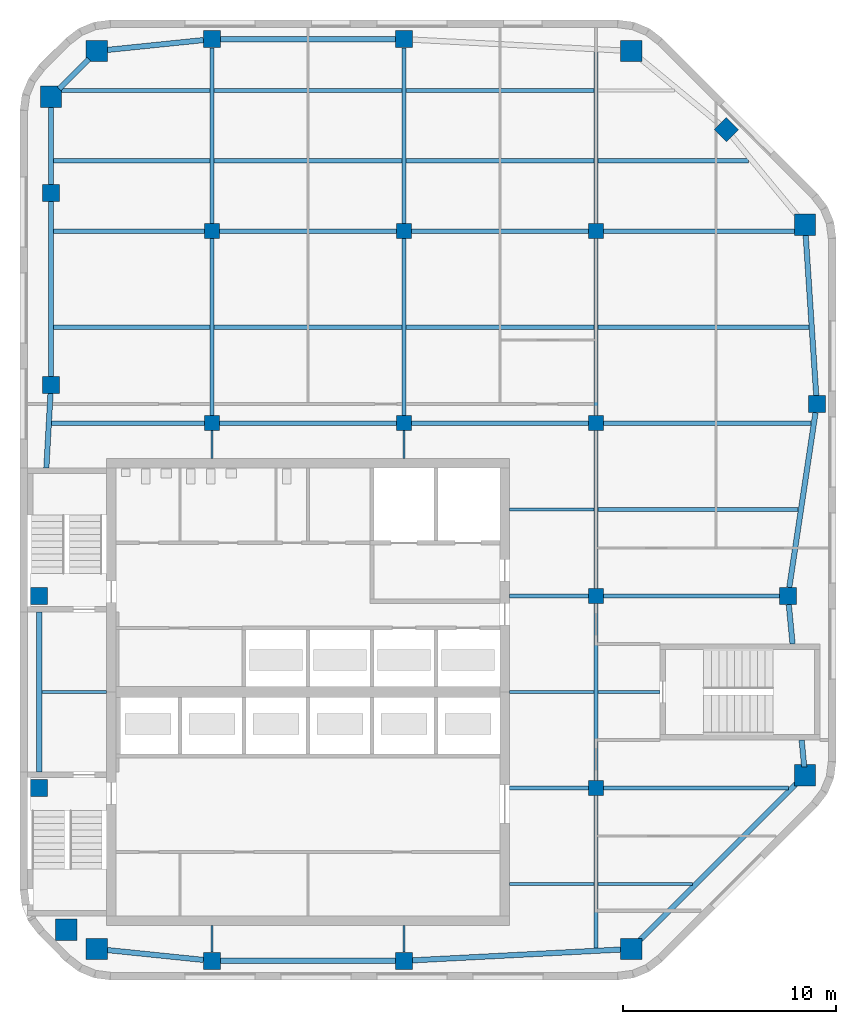
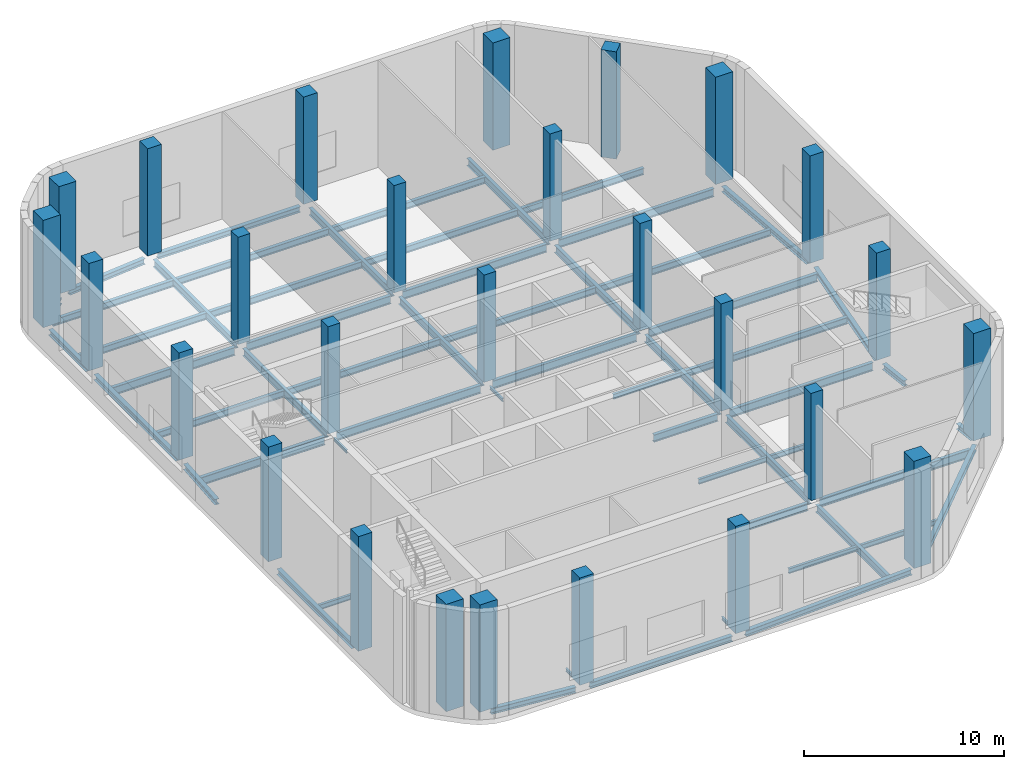
# One storey, part 1 of 8: 58 beams, 27 columns.
"""IFC4 building model written with IfcOpenShell, lengths in metres."""

from ifc_helpers import new_model, si_unit, direction, frame, origin, origin_2d, place, context, subcontext, project, spatial, rectangle, i_section, extrude, material, material_profile, profile_set, type_object, element, save


model = new_model("IFC4")

# Units and contexts
model_context = context("Model", 3, precision=1e-05, world=origin(), true_north=direction((0.0, 1.0)))
body_context = subcontext(model_context, "Body", "Model", "MODEL_VIEW")
ifc_project = project(units=[si_unit("LENGTHUNIT", "METRE"), si_unit("AREAUNIT", "SQUARE_METRE"), si_unit("VOLUMEUNIT", "CUBIC_METRE"), si_unit("PLANEANGLEUNIT", "RADIAN"), si_unit("MASSUNIT", "GRAM", prefix="KILO")], contexts=[model_context])

# Site, building, storey
site_placement = place(None, origin())
site = spatial("IfcSite", under=ifc_project, at=site_placement, CompositionType="ELEMENT")
building_placement = place(site_placement, origin())
building = spatial("IfcBuilding", under=site, at=building_placement, Name="Cinnabar Reach Civic Tower", CompositionType="ELEMENT")
storey_placement = place(building_placement, frame((0.0, 0.0, 291.0)))
storey = spatial("IfcBuildingStorey", under=building, at=storey_placement, Name="L69", CompositionType="ELEMENT", Elevation=291.0)

# Columns
ifc_material_1 = material(Name="Concrete C70", Category="concrete")
ifc_material_profile_1 = material_profile(ifc_material_1, rectangle(XDim=1.0, YDim=1.0, at=origin_2d()), Name="RC1000")
ifc_profile_set_1 = profile_set([ifc_material_profile_1], Name="Concrete C70")
column_type_1 = type_object("IfcColumnType", Name="RC1000 column R 240", PredefinedType="COLUMN", material=ifc_profile_set_1)
for number, where, z_axis, x_axis, name in (
    (1, (3.6019, 19.4531, 0.0), (0.0, 0.0, 1.0), (1.0, 0.0, 0.0), "Column T1-Z5-CC0"),
    (2, (28.6481, 19.4531, 0.0), (0.0, 0.0, 1.0), (1.0, 0.0, 0.0), "Column T1-Z5-CC1"),
    (3, (36.7969, 27.6019, 0.0), (0.0, 0.0, 1.0), (1.0, 0.0, 0.0), "Column T1-Z5-CC2"),
    (4, (36.7969, 53.3981, 0.0), (0.0, 0.0, 1.0), (1.0, 0.0, 0.0), "Column T1-Z5-CC3"),
    (5, (28.6481, 61.5469, 0.0), (0.0, 0.0, 1.0), (1.0, 0.0, 0.0), "Column T1-Z5-CC4"),
    (6, (3.6019, 61.5469, 0.0), (0.0, 0.0, 1.0), (1.0, 0.0, 0.0), "Column T1-Z5-CC5"),
    (7, (1.4531, 59.3981, 0.0), (0.0, 0.0, 1.0), (1.0, 0.0, 0.0), "Column T1-Z5-CC6"),
    (8, (2.1631, 20.35, 0.0), (0.0, 0.0, 1.0), (1.0, 0.0, 0.0), "Column T1-Z5-CC7"),
):
    element("IfcColumn", number, at=place(storey_placement, frame(where, z_axis=z_axis, x_axis=x_axis)), inside=storey, type_object=column_type_1, Name=name, PredefinedType="COLUMN", context=body_context, shape_type="SweptSolid", body=[
        extrude(rectangle(XDim=1.0, YDim=1.0, at=origin_2d()), origin(), (0.0, 0.0, 1.0), 6.55),
    ])
ifc_material_2 = material(Name="Concrete C60", Category="concrete")
ifc_material_profile_2 = material_profile(ifc_material_2, rectangle(XDim=0.7, YDim=0.7, at=origin_2d()), Name="RC700")
ifc_profile_set_2 = profile_set([ifc_material_profile_2], Name="Concrete C60")
column_type_2 = type_object("IfcColumnType", Name="RC700 column R 240", PredefinedType="COLUMN", material=ifc_profile_set_2)
for number, where, z_axis, x_axis, name in (
    (9, (9.0, 44.1, 0.0), (0.0, 0.0, 1.0), (1.0, 0.0, 0.0), "Column T1-Z5-I9_45"),
    (10, (9.0, 53.1, 0.0), (0.0, 0.0, 1.0), (1.0, 0.0, 0.0), "Column T1-Z5-I9_54"),
    (11, (18.0, 44.1, 0.0), (0.0, 0.0, 1.0), (1.0, 0.0, 0.0), "Column T1-Z5-I18_45"),
    (12, (18.0, 53.1, 0.0), (0.0, 0.0, 1.0), (1.0, 0.0, 0.0), "Column T1-Z5-I18_54"),
    (13, (27.0, 27.0, 0.0), (0.0, 0.0, 1.0), (1.0, 0.0, 0.0), "Column T1-Z5-I27_27"),
    (14, (27.0, 36.0, 0.0), (0.0, 0.0, 1.0), (1.0, 0.0, 0.0), "Column T1-Z5-I27_36"),
    (15, (27.0, 44.1, 0.0), (0.0, 0.0, 1.0), (1.0, 0.0, 0.0), "Column T1-Z5-I27_45"),
    (16, (27.0, 53.1, 0.0), (0.0, 0.0, 1.0), (1.0, 0.0, 0.0), "Column T1-Z5-I27_54"),
):
    element("IfcColumn", number, at=place(storey_placement, frame(where, z_axis=z_axis, x_axis=x_axis)), inside=storey, type_object=column_type_2, Name=name, PredefinedType="COLUMN", context=body_context, shape_type="SweptSolid", body=[
        extrude(rectangle(XDim=0.7, YDim=0.7, at=origin_2d()), origin(), (0.0, 0.0, 1.0), 6.55),
    ])
ifc_material_profile_3 = material_profile(ifc_material_2, rectangle(XDim=0.8, YDim=0.8, at=origin_2d()), Name="RC800")
ifc_profile_set_3 = profile_set([ifc_material_profile_3], Name="Concrete C60")
column_type_3 = type_object("IfcColumnType", Name="RC800 column R 240", PredefinedType="COLUMN", material=ifc_profile_set_3)
for number, where, z_axis, x_axis, name in (
    (17, (9.0, 18.9, 0.0), (0.0, 0.0, 1.0), (1.0, 0.0, 0.0), "Column T1-Z5-F0-1"),
    (18, (18.0, 18.9, 0.0), (0.0, 0.0, 1.0), (1.0, 0.0, 0.0), "Column T1-Z5-F0-2"),
    (19, (36.0, 36.0, 0.0), (0.0, 0.0, 1.0), (1.0, 0.0, 0.0), "Column T1-Z5-F2-4"),
    (20, (37.35, 45.0, 0.0), (0.0, 0.0, 1.0), (1.0, 0.0, 0.0), "Column T1-Z5-F2-5"),
    (21, (33.1136, 57.8636, 0.0), (0.0, 0.0, 1.0), (0.707106781187, 0.707106781187, 0.0), "Column T1-Z5-F3-M"),
    (22, (9.0, 62.1, 0.0), (0.0, 0.0, 1.0), (1.0, 0.0, 0.0), "Column T1-Z5-F4-1"),
    (23, (18.0, 62.1, 0.0), (0.0, 0.0, 1.0), (1.0, 0.0, 0.0), "Column T1-Z5-F4-2"),
):
    element("IfcColumn", number, at=place(storey_placement, frame(where, z_axis=z_axis, x_axis=x_axis)), inside=storey, type_object=column_type_3, Name=name, PredefinedType="COLUMN", context=body_context, shape_type="SweptSolid", body=[
        extrude(rectangle(XDim=0.8, YDim=0.8, at=origin_2d()), origin(), (0.0, 0.0, 1.0), 6.55),
    ])
for number, where, z_axis, x_axis, name in (
    (24, (0.9, 27.0, 0.0), (0.0, 0.0, 1.0), (1.0, 0.0, 0.0), "Column T1-Z5-F6-3"),
    (25, (0.9, 36.0, 0.0), (0.0, 0.0, 1.0), (1.0, 0.0, 0.0), "Column T1-Z5-F6-4"),
):
    element("IfcColumn", number, at=place(storey_placement, frame(where, z_axis=z_axis, x_axis=x_axis)), inside=storey, type_object=column_type_3, Name=name, PredefinedType="COLUMN", context=body_context, shape_type="SweptSolid", body=[
        extrude(rectangle(XDim=0.8, YDim=0.8, at=origin_2d()), origin(), (0.0, 0.0, 1.0), 7.0),
    ])
for number, where, z_axis, x_axis, name in (
    (26, (1.4531, 45.8981, 0.0), (0.0, 0.0, 1.0), (1.0, 0.0, 0.0), "Column T1-Z5-F6-5"),
    (27, (1.4531, 54.8981, 0.0), (0.0, 0.0, 1.0), (1.0, 0.0, 0.0), "Column T1-Z5-F6-6"),
):
    element("IfcColumn", number, at=place(storey_placement, frame(where, z_axis=z_axis, x_axis=x_axis)), inside=storey, type_object=column_type_3, Name=name, PredefinedType="COLUMN", context=body_context, shape_type="SweptSolid", body=[
        extrude(rectangle(XDim=0.8, YDim=0.8, at=origin_2d()), origin(), (0.0, 0.0, 1.0), 6.55),
    ])

# Beams
ifc_material_3 = material(Name="Steel Q355B", Category="steel")
ifc_material_profile_4 = material_profile(ifc_material_3, i_section(OverallWidth=0.25, OverallDepth=0.34, WebThickness=0.009, FlangeThickness=0.014, FilletRadius=0.013, at=origin_2d()), Name="HM340x250x9x14")
ifc_profile_set_4 = profile_set([ifc_material_profile_4], Name="Steel Q355B")
beam_type_1 = type_object("IfcBeamType", Name="HM340x250x9x14 beam R 180", PredefinedType="BEAM", material=ifc_profile_set_4)
beam_1_placement = place(storey_placement, frame((3.9839, 19.414, -0.47), z_axis=(0.994791084875, -0.101934770579, 0.0), x_axis=(0.101934770579, 0.994791084875, 0.0)))
element("IfcBeam", 28, at=beam_1_placement, inside=storey, type_object=beam_type_1, Name="Edge beam T1 L69 1", PredefinedType="BEAM", context=body_context, shape_type="SweptSolid", body=[
    extrude(i_section(OverallWidth=0.25, OverallDepth=0.34, WebThickness=0.009, FlangeThickness=0.014, FilletRadius=0.013, at=origin_2d()), origin(), (0.0, 0.0, 1.0), 4.6383),
])
beam_2_placement = place(storey_placement, frame((9.402, 18.9, -0.47), z_axis=(1.0, 0.0, 0.0), x_axis=(0.0, 1.0, 0.0)))
element("IfcBeam", 29, at=beam_2_placement, inside=storey, type_object=beam_type_1, Name="Edge beam T1 L69 2", PredefinedType="BEAM", context=body_context, shape_type="SweptSolid", body=[
    extrude(i_section(OverallWidth=0.25, OverallDepth=0.34, WebThickness=0.009, FlangeThickness=0.014, FilletRadius=0.013, at=origin_2d()), origin(), (0.0, 0.0, 1.0), 8.196),
])
beam_3_placement = place(storey_placement, frame((18.402, 18.9209, -0.47), z_axis=(0.998653533726, 0.051876001934, 0.0), x_axis=(-0.051876001934, 0.998653533726, 0.0)))
element("IfcBeam", 30, at=beam_3_placement, inside=storey, type_object=beam_type_1, Name="Edge beam T1 L69 3", PredefinedType="BEAM", context=body_context, shape_type="SweptSolid", body=[
    extrude(i_section(OverallWidth=0.25, OverallDepth=0.34, WebThickness=0.009, FlangeThickness=0.014, FilletRadius=0.013, at=origin_2d()), origin(), (0.0, 0.0, 1.0), 9.8774),
])
beam_4_placement = place(storey_placement, frame((29.0301, 19.8351, -0.47), z_axis=(0.707106781187, 0.707106781187, 0.0), x_axis=(-0.707106781187, 0.707106781187, 0.0)))
element("IfcBeam", 31, at=beam_4_placement, inside=storey, type_object=beam_type_1, Name="Edge beam T1 L69 4", PredefinedType="BEAM", context=body_context, shape_type="SweptSolid", body=[
    extrude(i_section(OverallWidth=0.25, OverallDepth=0.34, WebThickness=0.009, FlangeThickness=0.014, FilletRadius=0.013, at=origin_2d()), origin(), (0.0, 0.0, 1.0), 10.4437),
])
beam_5_placement = place(storey_placement, frame((36.7607, 27.9839, -0.47), z_axis=(-0.094504338241, 0.995524449752, 0.0), x_axis=(-0.995524449752, -0.094504338241, 0.0)))
element("IfcBeam", 32, at=beam_5_placement, inside=storey, type_object=beam_type_1, Name="Edge beam T1 L69 5", PredefinedType="BEAM", context=body_context, shape_type="SweptSolid", body=[
    extrude(i_section(OverallWidth=0.25, OverallDepth=0.34, WebThickness=0.009, FlangeThickness=0.014, FilletRadius=0.013, at=origin_2d()), origin(), (0.0, 0.0, 1.0), 1.2698),
])
beam_6_placement = place(storey_placement, frame((36.2133, 33.752, -0.47), z_axis=(-0.094483333102, 0.995526443529, 0.0), x_axis=(-0.995526443529, -0.094483333102, 0.0)))
element("IfcBeam", 33, at=beam_6_placement, inside=storey, type_object=beam_type_1, Name="Edge beam T1 L69 6", PredefinedType="BEAM", context=body_context, shape_type="SweptSolid", body=[
    extrude(i_section(OverallWidth=0.25, OverallDepth=0.34, WebThickness=0.009, FlangeThickness=0.014, FilletRadius=0.013, at=origin_2d()), origin(), (0.0, 0.0, 1.0), 1.8543),
])
beam_7_placement = place(storey_placement, frame((36.0603, 36.402, -0.47), z_axis=(0.14834045293, 0.988936352868, 0.0), x_axis=(-0.988936352868, 0.14834045293, 0.0)))
element("IfcBeam", 34, at=beam_7_placement, inside=storey, type_object=beam_type_1, Name="Edge beam T1 L69 7", PredefinedType="BEAM", context=body_context, shape_type="SweptSolid", body=[
    extrude(i_section(OverallWidth=0.25, OverallDepth=0.34, WebThickness=0.009, FlangeThickness=0.014, FilletRadius=0.013, at=origin_2d()), origin(), (0.0, 0.0, 1.0), 8.2877),
])
beam_8_placement = place(storey_placement, frame((37.3235, 45.402, -0.47), z_axis=(-0.065709195057, 0.997838815483, 0.0), x_axis=(-0.997838815483, -0.065709195057, 0.0)))
element("IfcBeam", 35, at=beam_8_placement, inside=storey, type_object=beam_type_1, Name="Edge beam T1 L69 8", PredefinedType="BEAM", context=body_context, shape_type="SweptSolid", body=[
    extrude(i_section(OverallWidth=0.25, OverallDepth=0.34, WebThickness=0.009, FlangeThickness=0.014, FilletRadius=0.013, at=origin_2d()), origin(), (0.0, 0.0, 1.0), 7.6306),
])
beam_9_placement = place(storey_placement, frame((17.598, 62.1, -0.47), z_axis=(-1.0, 0.0, 0.0), x_axis=(0.0, -1.0, 0.0)))
element("IfcBeam", 36, at=beam_9_placement, inside=storey, type_object=beam_type_1, Name="Edge beam T1 L69 12", PredefinedType="BEAM", context=body_context, shape_type="SweptSolid", body=[
    extrude(i_section(OverallWidth=0.25, OverallDepth=0.34, WebThickness=0.009, FlangeThickness=0.014, FilletRadius=0.013, at=origin_2d()), origin(), (0.0, 0.0, 1.0), 8.196),
])
beam_10_placement = place(storey_placement, frame((8.598, 62.0588, -0.47), z_axis=(-0.994791084875, -0.101934770579, 0.0), x_axis=(0.101934770579, -0.994791084875, 0.0)))
element("IfcBeam", 37, at=beam_10_placement, inside=storey, type_object=beam_type_1, Name="Edge beam T1 L69 13", PredefinedType="BEAM", context=body_context, shape_type="SweptSolid", body=[
    extrude(i_section(OverallWidth=0.25, OverallDepth=0.34, WebThickness=0.009, FlangeThickness=0.014, FilletRadius=0.013, at=origin_2d()), origin(), (0.0, 0.0, 1.0), 4.6383),
])
beam_11_placement = place(storey_placement, frame((3.2199, 61.1649, -0.47), z_axis=(-0.707106781187, -0.707106781187, 0.0), x_axis=(0.707106781187, -0.707106781187, 0.0)))
element("IfcBeam", 38, at=beam_11_placement, inside=storey, type_object=beam_type_1, Name="Edge beam T1 L69 14", PredefinedType="BEAM", context=body_context, shape_type="SweptSolid", body=[
    extrude(i_section(OverallWidth=0.25, OverallDepth=0.34, WebThickness=0.009, FlangeThickness=0.014, FilletRadius=0.013, at=origin_2d()), origin(), (0.0, 0.0, 1.0), 1.9584),
])
beam_12_placement = place(storey_placement, frame((1.4531, 59.0161, -0.47), z_axis=(0.0, -1.0, 0.0), x_axis=(1.0, 0.0, 0.0)))
element("IfcBeam", 39, at=beam_12_placement, inside=storey, type_object=beam_type_1, Name="Edge beam T1 L69 15", PredefinedType="BEAM", context=body_context, shape_type="SweptSolid", body=[
    extrude(i_section(OverallWidth=0.25, OverallDepth=0.34, WebThickness=0.009, FlangeThickness=0.014, FilletRadius=0.013, at=origin_2d()), origin(), (0.0, 0.0, 1.0), 3.716),
])
beam_13_placement = place(storey_placement, frame((1.4531, 54.4961, -0.47), z_axis=(0.0, -1.0, 0.0), x_axis=(1.0, 0.0, 0.0)))
element("IfcBeam", 40, at=beam_13_placement, inside=storey, type_object=beam_type_1, Name="Edge beam T1 L69 16", PredefinedType="BEAM", context=body_context, shape_type="SweptSolid", body=[
    extrude(i_section(OverallWidth=0.25, OverallDepth=0.34, WebThickness=0.009, FlangeThickness=0.014, FilletRadius=0.013, at=origin_2d()), origin(), (0.0, 0.0, 1.0), 8.196),
])
beam_14_placement = place(storey_placement, frame((1.4306, 45.4961, -0.47), z_axis=(-0.055778628236, -0.998443160441, 0.0), x_axis=(0.998443160441, -0.055778628236, 0.0)))
element("IfcBeam", 41, at=beam_14_placement, inside=storey, type_object=beam_type_1, Name="Edge beam T1 L69 17", PredefinedType="BEAM", context=body_context, shape_type="SweptSolid", body=[
    extrude(i_section(OverallWidth=0.25, OverallDepth=0.34, WebThickness=0.009, FlangeThickness=0.014, FilletRadius=0.013, at=origin_2d()), origin(), (0.0, 0.0, 1.0), 3.4995),
])
beam_15_placement = place(storey_placement, frame((0.9, 35.248, -0.47), z_axis=(0.0, -1.0, 0.0), x_axis=(1.0, 0.0, 0.0)))
element("IfcBeam", 42, at=beam_15_placement, inside=storey, type_object=beam_type_1, Name="Edge beam T1 L69 18", PredefinedType="BEAM", context=body_context, shape_type="SweptSolid", body=[
    extrude(i_section(OverallWidth=0.25, OverallDepth=0.34, WebThickness=0.009, FlangeThickness=0.014, FilletRadius=0.013, at=origin_2d()), origin(), (0.0, 0.0, 1.0), 7.496),
])
ifc_material_profile_5 = material_profile(ifc_material_3, i_section(OverallWidth=0.099, OverallDepth=0.198, WebThickness=0.0045, FlangeThickness=0.007, FilletRadius=0.013, at=origin_2d()), Name="HN200x100x5.5x8")
ifc_profile_set_5 = profile_set([ifc_material_profile_5], Name="Steel Q355B")
beam_type_2 = type_object("IfcBeamType", Name="HN200x100x5.5x8 beam R 180", PredefinedType="BEAM", material=ifc_profile_set_5)
beam_16_placement = place(storey_placement, frame((9.0, 19.302, -0.399), z_axis=(0.0, 1.0, 0.0), x_axis=(-1.0, 0.0, 0.0)))
element("IfcBeam", 43, at=beam_16_placement, inside=storey, type_object=beam_type_2, Name="Girder T1 L69 1", PredefinedType="BEAM", context=body_context, shape_type="SweptSolid", body=[
    extrude(i_section(OverallWidth=0.099, OverallDepth=0.198, WebThickness=0.0045, FlangeThickness=0.007, FilletRadius=0.013, at=origin_2d()), origin(), (0.0, 0.0, 1.0), 1.246),
])
beam_17_placement = place(storey_placement, frame((9.0, 42.452, -0.399), z_axis=(0.0, 1.0, 0.0), x_axis=(-1.0, 0.0, 0.0)))
element("IfcBeam", 44, at=beam_17_placement, inside=storey, type_object=beam_type_2, Name="Girder T1 L69 2", PredefinedType="BEAM", context=body_context, shape_type="SweptSolid", body=[
    extrude(i_section(OverallWidth=0.099, OverallDepth=0.198, WebThickness=0.0045, FlangeThickness=0.007, FilletRadius=0.013, at=origin_2d()), origin(), (0.0, 0.0, 1.0), 1.296),
])
beam_18_placement = place(storey_placement, frame((18.0, 19.302, -0.399), z_axis=(0.0, 1.0, 0.0), x_axis=(-1.0, 0.0, 0.0)))
element("IfcBeam", 45, at=beam_18_placement, inside=storey, type_object=beam_type_2, Name="Girder T1 L69 5", PredefinedType="BEAM", context=body_context, shape_type="SweptSolid", body=[
    extrude(i_section(OverallWidth=0.099, OverallDepth=0.198, WebThickness=0.0045, FlangeThickness=0.007, FilletRadius=0.013, at=origin_2d()), origin(), (0.0, 0.0, 1.0), 1.246),
])
beam_19_placement = place(storey_placement, frame((18.0, 42.452, -0.399), z_axis=(0.0, 1.0, 0.0), x_axis=(-1.0, 0.0, 0.0)))
element("IfcBeam", 46, at=beam_19_placement, inside=storey, type_object=beam_type_2, Name="Girder T1 L69 6", PredefinedType="BEAM", context=body_context, shape_type="SweptSolid", body=[
    extrude(i_section(OverallWidth=0.099, OverallDepth=0.198, WebThickness=0.0045, FlangeThickness=0.007, FilletRadius=0.013, at=origin_2d()), origin(), (0.0, 0.0, 1.0), 1.296),
])
ifc_material_profile_6 = material_profile(ifc_material_3, i_section(OverallWidth=0.15, OverallDepth=0.3, WebThickness=0.0065, FlangeThickness=0.009, FilletRadius=0.013, at=origin_2d()), Name="HN300x150x6.5x9")
ifc_profile_set_6 = profile_set([ifc_material_profile_6], Name="Steel Q355B")
beam_type_3 = type_object("IfcBeamType", Name="HN300x150x6.5x9 beam R 180", PredefinedType="BEAM", material=ifc_profile_set_6)
beam_20_placement = place(storey_placement, frame((22.952, 22.5, -0.45), z_axis=(1.0, 0.0, 0.0), x_axis=(0.0, 1.0, 0.0)))
element("IfcBeam", 47, at=beam_20_placement, inside=storey, type_object=beam_type_3, Name="Secondary beam T1 L69 1", PredefinedType="BEAM", context=body_context, shape_type="SweptSolid", body=[
    extrude(i_section(OverallWidth=0.15, OverallDepth=0.3, WebThickness=0.0065, FlangeThickness=0.009, FilletRadius=0.013, at=origin_2d()), origin(), (0.0, 0.0, 1.0), 3.946),
])
beam_21_placement = place(storey_placement, frame((27.102, 22.5, -0.45), z_axis=(1.0, 0.0, 0.0), x_axis=(0.0, 1.0, 0.0)))
element("IfcBeam", 48, at=beam_21_placement, inside=storey, type_object=beam_type_3, Name="Secondary beam T1 L69 2", PredefinedType="BEAM", context=body_context, shape_type="SweptSolid", body=[
    extrude(i_section(OverallWidth=0.15, OverallDepth=0.3, WebThickness=0.0065, FlangeThickness=0.009, FilletRadius=0.013, at=origin_2d()), origin(), (0.0, 0.0, 1.0), 4.4134),
])
beam_22_placement = place(storey_placement, frame((1.027, 31.5, -0.45), z_axis=(1.0, 0.0, 0.0), x_axis=(0.0, 1.0, 0.0)))
element("IfcBeam", 49, at=beam_22_placement, inside=storey, type_object=beam_type_3, Name="Secondary beam T1 L69 3", PredefinedType="BEAM", context=body_context, shape_type="SweptSolid", body=[
    extrude(i_section(OverallWidth=0.15, OverallDepth=0.3, WebThickness=0.0065, FlangeThickness=0.009, FilletRadius=0.013, at=origin_2d()), origin(), (0.0, 0.0, 1.0), 3.021),
])
beam_23_placement = place(storey_placement, frame((22.952, 31.5, -0.45), z_axis=(1.0, 0.0, 0.0), x_axis=(0.0, 1.0, 0.0)))
element("IfcBeam", 50, at=beam_23_placement, inside=storey, type_object=beam_type_3, Name="Secondary beam T1 L69 4", PredefinedType="BEAM", context=body_context, shape_type="SweptSolid", body=[
    extrude(i_section(OverallWidth=0.15, OverallDepth=0.3, WebThickness=0.0065, FlangeThickness=0.009, FilletRadius=0.013, at=origin_2d()), origin(), (0.0, 0.0, 1.0), 3.946),
])
beam_24_placement = place(storey_placement, frame((27.102, 31.5, -0.45), z_axis=(1.0, 0.0, 0.0), x_axis=(0.0, 1.0, 0.0)))
element("IfcBeam", 51, at=beam_24_placement, inside=storey, type_object=beam_type_3, Name="Secondary beam T1 L69 5", PredefinedType="BEAM", context=body_context, shape_type="SweptSolid", body=[
    extrude(i_section(OverallWidth=0.15, OverallDepth=0.3, WebThickness=0.0065, FlangeThickness=0.009, FilletRadius=0.013, at=origin_2d()), origin(), (0.0, 0.0, 1.0), 2.896),
])
beam_25_placement = place(storey_placement, frame((22.952, 40.05, -0.45), z_axis=(1.0, 0.0, 0.0), x_axis=(0.0, 1.0, 0.0)))
element("IfcBeam", 52, at=beam_25_placement, inside=storey, type_object=beam_type_3, Name="Secondary beam T1 L69 6", PredefinedType="BEAM", context=body_context, shape_type="SweptSolid", body=[
    extrude(i_section(OverallWidth=0.15, OverallDepth=0.3, WebThickness=0.0065, FlangeThickness=0.009, FilletRadius=0.013, at=origin_2d()), origin(), (0.0, 0.0, 1.0), 3.946),
])
ifc_material_profile_7 = material_profile(ifc_material_3, i_section(OverallWidth=0.2, OverallDepth=0.4, WebThickness=0.008, FlangeThickness=0.013, FilletRadius=0.016, at=origin_2d()), Name="HN400x200x8x13")
ifc_profile_set_7 = profile_set([ifc_material_profile_7], Name="Steel Q355B")
beam_type_4 = type_object("IfcBeamType", Name="HN400x200x8x13 beam R 180", PredefinedType="BEAM", material=ifc_profile_set_7)
beam_26_placement = place(storey_placement, frame((27.102, 40.05, -0.5), z_axis=(1.0, 0.0, 0.0), x_axis=(0.0, 1.0, 0.0)))
element("IfcBeam", 53, at=beam_26_placement, inside=storey, type_object=beam_type_4, Name="Secondary beam T1 L69 7", PredefinedType="BEAM", context=body_context, shape_type="SweptSolid", body=[
    extrude(i_section(OverallWidth=0.2, OverallDepth=0.4, WebThickness=0.008, FlangeThickness=0.013, FilletRadius=0.016, at=origin_2d()), origin(), (0.0, 0.0, 1.0), 9.3771),
])
beam_27_placement = place(storey_placement, frame((1.5801, 48.6, -0.5), z_axis=(1.0, 0.0, 0.0), x_axis=(0.0, 1.0, 0.0)))
element("IfcBeam", 54, at=beam_27_placement, inside=storey, type_object=beam_type_4, Name="Secondary beam T1 L69 8", PredefinedType="BEAM", context=body_context, shape_type="SweptSolid", body=[
    extrude(i_section(OverallWidth=0.2, OverallDepth=0.4, WebThickness=0.008, FlangeThickness=0.013, FilletRadius=0.016, at=origin_2d()), origin(), (0.0, 0.0, 1.0), 7.3179),
])
for number, where, z_axis, x_axis, name in (
    (55, (9.102, 48.6, -0.5), (1.0, 0.0, 0.0), (0.0, 1.0, 0.0), "Secondary beam T1 L69 9"),
    (56, (18.102, 48.6, -0.5), (1.0, 0.0, 0.0), (0.0, 1.0, 0.0), "Secondary beam T1 L69 10"),
):
    element("IfcBeam", number, at=place(storey_placement, frame(where, z_axis=z_axis, x_axis=x_axis)), inside=storey, type_object=beam_type_4, Name=name, PredefinedType="BEAM", context=body_context, shape_type="SweptSolid", body=[
        extrude(i_section(OverallWidth=0.2, OverallDepth=0.4, WebThickness=0.008, FlangeThickness=0.013, FilletRadius=0.016, at=origin_2d()), origin(), (0.0, 0.0, 1.0), 8.796),
    ])
beam_28_placement = place(storey_placement, frame((27.102, 48.6, -0.5), z_axis=(1.0, 0.0, 0.0), x_axis=(0.0, 1.0, 0.0)))
element("IfcBeam", 57, at=beam_28_placement, inside=storey, type_object=beam_type_4, Name="Secondary beam T1 L69 11", PredefinedType="BEAM", context=body_context, shape_type="SweptSolid", body=[
    extrude(i_section(OverallWidth=0.2, OverallDepth=0.4, WebThickness=0.008, FlangeThickness=0.013, FilletRadius=0.016, at=origin_2d()), origin(), (0.0, 0.0, 1.0), 9.8836),
])
beam_29_placement = place(storey_placement, frame((1.5801, 56.4, -0.5), z_axis=(1.0, 0.0, 0.0), x_axis=(0.0, 1.0, 0.0)))
element("IfcBeam", 58, at=beam_29_placement, inside=storey, type_object=beam_type_4, Name="Secondary beam T1 L69 12", PredefinedType="BEAM", context=body_context, shape_type="SweptSolid", body=[
    extrude(i_section(OverallWidth=0.2, OverallDepth=0.4, WebThickness=0.008, FlangeThickness=0.013, FilletRadius=0.016, at=origin_2d()), origin(), (0.0, 0.0, 1.0), 7.3179),
])
for number, where, z_axis, x_axis, name in (
    (59, (9.102, 56.4, -0.5), (1.0, 0.0, 0.0), (0.0, 1.0, 0.0), "Secondary beam T1 L69 13"),
    (60, (18.102, 56.4, -0.5), (1.0, 0.0, 0.0), (0.0, 1.0, 0.0), "Secondary beam T1 L69 14"),
):
    element("IfcBeam", number, at=place(storey_placement, frame(where, z_axis=z_axis, x_axis=x_axis)), inside=storey, type_object=beam_type_4, Name=name, PredefinedType="BEAM", context=body_context, shape_type="SweptSolid", body=[
        extrude(i_section(OverallWidth=0.2, OverallDepth=0.4, WebThickness=0.008, FlangeThickness=0.013, FilletRadius=0.016, at=origin_2d()), origin(), (0.0, 0.0, 1.0), 8.796),
    ])
beam_30_placement = place(storey_placement, frame((27.102, 56.4, -0.5), z_axis=(1.0, 0.0, 0.0), x_axis=(0.0, 1.0, 0.0)))
element("IfcBeam", 61, at=beam_30_placement, inside=storey, type_object=beam_type_4, Name="Secondary beam T1 L69 15", PredefinedType="BEAM", context=body_context, shape_type="SweptSolid", body=[
    extrude(i_section(OverallWidth=0.2, OverallDepth=0.4, WebThickness=0.008, FlangeThickness=0.013, FilletRadius=0.016, at=origin_2d()), origin(), (0.0, 0.0, 1.0), 7.0542),
])
beam_31_placement = place(storey_placement, frame((1.9551, 59.7, -0.5), z_axis=(1.0, 0.0, 0.0), x_axis=(0.0, 1.0, 0.0)))
element("IfcBeam", 62, at=beam_31_placement, inside=storey, type_object=beam_type_4, Name="Secondary beam T1 L69 16", PredefinedType="BEAM", context=body_context, shape_type="SweptSolid", body=[
    extrude(i_section(OverallWidth=0.2, OverallDepth=0.4, WebThickness=0.008, FlangeThickness=0.013, FilletRadius=0.016, at=origin_2d()), origin(), (0.0, 0.0, 1.0), 6.9429),
])
for number, where, z_axis, x_axis, name in (
    (63, (9.102, 59.7, -0.5), (1.0, 0.0, 0.0), (0.0, 1.0, 0.0), "Secondary beam T1 L69 17"),
    (64, (18.102, 59.7, -0.5), (1.0, 0.0, 0.0), (0.0, 1.0, 0.0), "Secondary beam T1 L69 18"),
):
    element("IfcBeam", number, at=place(storey_placement, frame(where, z_axis=z_axis, x_axis=x_axis)), inside=storey, type_object=beam_type_4, Name=name, PredefinedType="BEAM", context=body_context, shape_type="SweptSolid", body=[
        extrude(i_section(OverallWidth=0.2, OverallDepth=0.4, WebThickness=0.008, FlangeThickness=0.013, FilletRadius=0.016, at=origin_2d()), origin(), (0.0, 0.0, 1.0), 8.796),
    ])
ifc_material_profile_8 = material_profile(ifc_material_3, i_section(OverallWidth=0.2, OverallDepth=0.45, WebThickness=0.009, FlangeThickness=0.014, FilletRadius=0.016, at=origin_2d()), Name="HN450x200x9x14")
ifc_profile_set_8 = profile_set([ifc_material_profile_8], Name="Steel Q355B")
beam_type_5 = type_object("IfcBeamType", Name="HN450x200x9x14 beam R 180", PredefinedType="BEAM", material=ifc_profile_set_8)
for number, where, z_axis, x_axis, name in (
    (65, (22.952, 27.0, -0.525), (1.0, 0.0, 0.0), (0.0, 1.0, 0.0), "Girder T1 L69 1"),
    (66, (22.952, 36.0, -0.525), (1.0, 0.0, 0.0), (0.0, 1.0, 0.0), "Girder T1 L69 3"),
):
    element("IfcBeam", number, at=place(storey_placement, frame(where, z_axis=z_axis, x_axis=x_axis)), inside=storey, type_object=beam_type_5, Name=name, PredefinedType="BEAM", context=body_context, shape_type="SweptSolid", body=[
        extrude(i_section(OverallWidth=0.2, OverallDepth=0.45, WebThickness=0.009, FlangeThickness=0.014, FilletRadius=0.016, at=origin_2d()), origin(), (0.0, 0.0, 1.0), 3.696),
    ])
beam_32_placement = place(storey_placement, frame((9.0, 44.452, -0.525), z_axis=(0.0, 1.0, 0.0), x_axis=(-1.0, 0.0, 0.0)))
element("IfcBeam", 67, at=beam_32_placement, inside=storey, type_object=beam_type_5, Name="Girder T1 L69 3", PredefinedType="BEAM", context=body_context, shape_type="SweptSolid", body=[
    extrude(i_section(OverallWidth=0.2, OverallDepth=0.45, WebThickness=0.009, FlangeThickness=0.014, FilletRadius=0.016, at=origin_2d()), origin(), (0.0, 0.0, 1.0), 8.296),
])
beam_33_placement = place(storey_placement, frame((9.0, 53.452, -0.525), z_axis=(0.0, 1.0, 0.0), x_axis=(-1.0, 0.0, 0.0)))
element("IfcBeam", 68, at=beam_33_placement, inside=storey, type_object=beam_type_5, Name="Girder T1 L69 4", PredefinedType="BEAM", context=body_context, shape_type="SweptSolid", body=[
    extrude(i_section(OverallWidth=0.2, OverallDepth=0.45, WebThickness=0.009, FlangeThickness=0.014, FilletRadius=0.016, at=origin_2d()), origin(), (0.0, 0.0, 1.0), 8.246),
])
beam_34_placement = place(storey_placement, frame((18.0, 44.452, -0.525), z_axis=(0.0, 1.0, 0.0), x_axis=(-1.0, 0.0, 0.0)))
element("IfcBeam", 69, at=beam_34_placement, inside=storey, type_object=beam_type_5, Name="Girder T1 L69 7", PredefinedType="BEAM", context=body_context, shape_type="SweptSolid", body=[
    extrude(i_section(OverallWidth=0.2, OverallDepth=0.45, WebThickness=0.009, FlangeThickness=0.014, FilletRadius=0.016, at=origin_2d()), origin(), (0.0, 0.0, 1.0), 8.296),
])
beam_35_placement = place(storey_placement, frame((18.0, 53.452, -0.525), z_axis=(0.0, 1.0, 0.0), x_axis=(-1.0, 0.0, 0.0)))
element("IfcBeam", 70, at=beam_35_placement, inside=storey, type_object=beam_type_5, Name="Girder T1 L69 8", PredefinedType="BEAM", context=body_context, shape_type="SweptSolid", body=[
    extrude(i_section(OverallWidth=0.2, OverallDepth=0.45, WebThickness=0.009, FlangeThickness=0.014, FilletRadius=0.016, at=origin_2d()), origin(), (0.0, 0.0, 1.0), 8.246),
])
beam_36_placement = place(storey_placement, frame((27.0, 19.4947, -0.525), z_axis=(0.0, 1.0, 0.0), x_axis=(-1.0, 0.0, 0.0)))
element("IfcBeam", 71, at=beam_36_placement, inside=storey, type_object=beam_type_5, Name="Girder T1 L69 9", PredefinedType="BEAM", context=body_context, shape_type="SweptSolid", body=[
    extrude(i_section(OverallWidth=0.2, OverallDepth=0.45, WebThickness=0.009, FlangeThickness=0.014, FilletRadius=0.016, at=origin_2d()), origin(), (0.0, 0.0, 1.0), 7.1533),
])
beam_37_placement = place(storey_placement, frame((27.0, 27.352, -0.525), z_axis=(0.0, 1.0, 0.0), x_axis=(-1.0, 0.0, 0.0)))
element("IfcBeam", 72, at=beam_37_placement, inside=storey, type_object=beam_type_5, Name="Girder T1 L69 10", PredefinedType="BEAM", context=body_context, shape_type="SweptSolid", body=[
    extrude(i_section(OverallWidth=0.2, OverallDepth=0.45, WebThickness=0.009, FlangeThickness=0.014, FilletRadius=0.016, at=origin_2d()), origin(), (0.0, 0.0, 1.0), 8.296),
])
beam_38_placement = place(storey_placement, frame((27.0, 36.352, -0.525), z_axis=(0.0, 1.0, 0.0), x_axis=(-1.0, 0.0, 0.0)))
element("IfcBeam", 73, at=beam_38_placement, inside=storey, type_object=beam_type_5, Name="Girder T1 L69 11", PredefinedType="BEAM", context=body_context, shape_type="SweptSolid", body=[
    extrude(i_section(OverallWidth=0.2, OverallDepth=0.45, WebThickness=0.009, FlangeThickness=0.014, FilletRadius=0.016, at=origin_2d()), origin(), (0.0, 0.0, 1.0), 7.396),
])
beam_39_placement = place(storey_placement, frame((27.0, 44.452, -0.525), z_axis=(0.0, 1.0, 0.0), x_axis=(-1.0, 0.0, 0.0)))
element("IfcBeam", 74, at=beam_39_placement, inside=storey, type_object=beam_type_5, Name="Girder T1 L69 12", PredefinedType="BEAM", context=body_context, shape_type="SweptSolid", body=[
    extrude(i_section(OverallWidth=0.2, OverallDepth=0.45, WebThickness=0.009, FlangeThickness=0.014, FilletRadius=0.016, at=origin_2d()), origin(), (0.0, 0.0, 1.0), 8.296),
])
beam_40_placement = place(storey_placement, frame((27.0, 53.452, -0.525), z_axis=(0.0, 1.0, 0.0), x_axis=(-1.0, 0.0, 0.0)))
element("IfcBeam", 75, at=beam_40_placement, inside=storey, type_object=beam_type_5, Name="Girder T1 L69 13", PredefinedType="BEAM", context=body_context, shape_type="SweptSolid", body=[
    extrude(i_section(OverallWidth=0.2, OverallDepth=0.45, WebThickness=0.009, FlangeThickness=0.014, FilletRadius=0.016, at=origin_2d()), origin(), (0.0, 0.0, 1.0), 8.0533),
])
ifc_material_profile_9 = material_profile(ifc_material_3, i_section(OverallWidth=0.2, OverallDepth=0.5, WebThickness=0.01, FlangeThickness=0.016, FilletRadius=0.016, at=origin_2d()), Name="HN500x200x10x16")
ifc_profile_set_9 = profile_set([ifc_material_profile_9], Name="Steel Q355B")
beam_type_6 = type_object("IfcBeamType", Name="HN500x200x10x16 beam R 180", PredefinedType="BEAM", material=ifc_profile_set_9)
beam_41_placement = place(storey_placement, frame((27.352, 27.0, -0.55), z_axis=(1.0, 0.0, 0.0), x_axis=(0.0, 1.0, 0.0)))
element("IfcBeam", 76, at=beam_41_placement, inside=storey, type_object=beam_type_6, Name="Girder T1 L69 2", PredefinedType="BEAM", context=body_context, shape_type="SweptSolid", body=[
    extrude(i_section(OverallWidth=0.2, OverallDepth=0.5, WebThickness=0.01, FlangeThickness=0.016, FilletRadius=0.016, at=origin_2d()), origin(), (0.0, 0.0, 1.0), 8.6634),
])
beam_42_placement = place(storey_placement, frame((27.352, 36.0, -0.55), z_axis=(1.0, 0.0, 0.0), x_axis=(0.0, 1.0, 0.0)))
element("IfcBeam", 77, at=beam_42_placement, inside=storey, type_object=beam_type_6, Name="Girder T1 L69 4", PredefinedType="BEAM", context=body_context, shape_type="SweptSolid", body=[
    extrude(i_section(OverallWidth=0.2, OverallDepth=0.5, WebThickness=0.01, FlangeThickness=0.016, FilletRadius=0.016, at=origin_2d()), origin(), (0.0, 0.0, 1.0), 8.246),
])
beam_43_placement = place(storey_placement, frame((1.4798, 44.1, -0.55), z_axis=(1.0, 0.0, 0.0), x_axis=(0.0, 1.0, 0.0)))
element("IfcBeam", 78, at=beam_43_placement, inside=storey, type_object=beam_type_6, Name="Girder T1 L69 5", PredefinedType="BEAM", context=body_context, shape_type="SweptSolid", body=[
    extrude(i_section(OverallWidth=0.2, OverallDepth=0.5, WebThickness=0.01, FlangeThickness=0.016, FilletRadius=0.016, at=origin_2d()), origin(), (0.0, 0.0, 1.0), 7.1682),
])
for number, where, z_axis, x_axis, name in (
    (79, (9.352, 44.1, -0.55), (1.0, 0.0, 0.0), (0.0, 1.0, 0.0), "Girder T1 L69 6"),
    (80, (18.352, 44.1, -0.55), (1.0, 0.0, 0.0), (0.0, 1.0, 0.0), "Girder T1 L69 7"),
):
    element("IfcBeam", number, at=place(storey_placement, frame(where, z_axis=z_axis, x_axis=x_axis)), inside=storey, type_object=beam_type_6, Name=name, PredefinedType="BEAM", context=body_context, shape_type="SweptSolid", body=[
        extrude(i_section(OverallWidth=0.2, OverallDepth=0.5, WebThickness=0.01, FlangeThickness=0.016, FilletRadius=0.016, at=origin_2d()), origin(), (0.0, 0.0, 1.0), 8.296),
    ])
beam_44_placement = place(storey_placement, frame((27.352, 44.1, -0.55), z_axis=(1.0, 0.0, 0.0), x_axis=(0.0, 1.0, 0.0)))
element("IfcBeam", 81, at=beam_44_placement, inside=storey, type_object=beam_type_6, Name="Girder T1 L69 8", PredefinedType="BEAM", context=body_context, shape_type="SweptSolid", body=[
    extrude(i_section(OverallWidth=0.2, OverallDepth=0.5, WebThickness=0.01, FlangeThickness=0.016, FilletRadius=0.016, at=origin_2d()), origin(), (0.0, 0.0, 1.0), 9.7346),
])
beam_45_placement = place(storey_placement, frame((1.5801, 53.1, -0.55), z_axis=(1.0, 0.0, 0.0), x_axis=(0.0, 1.0, 0.0)))
element("IfcBeam", 82, at=beam_45_placement, inside=storey, type_object=beam_type_6, Name="Girder T1 L69 9", PredefinedType="BEAM", context=body_context, shape_type="SweptSolid", body=[
    extrude(i_section(OverallWidth=0.2, OverallDepth=0.5, WebThickness=0.01, FlangeThickness=0.016, FilletRadius=0.016, at=origin_2d()), origin(), (0.0, 0.0, 1.0), 7.0679),
])
for number, where, z_axis, x_axis, name in (
    (83, (9.352, 53.1, -0.55), (1.0, 0.0, 0.0), (0.0, 1.0, 0.0), "Girder T1 L69 10"),
    (84, (18.352, 53.1, -0.55), (1.0, 0.0, 0.0), (0.0, 1.0, 0.0), "Girder T1 L69 11"),
):
    element("IfcBeam", number, at=place(storey_placement, frame(where, z_axis=z_axis, x_axis=x_axis)), inside=storey, type_object=beam_type_6, Name=name, PredefinedType="BEAM", context=body_context, shape_type="SweptSolid", body=[
        extrude(i_section(OverallWidth=0.2, OverallDepth=0.5, WebThickness=0.01, FlangeThickness=0.016, FilletRadius=0.016, at=origin_2d()), origin(), (0.0, 0.0, 1.0), 8.296),
    ])
beam_46_placement = place(storey_placement, frame((27.352, 53.1, -0.55), z_axis=(1.0, 0.0, 0.0), x_axis=(0.0, 1.0, 0.0)))
element("IfcBeam", 85, at=beam_46_placement, inside=storey, type_object=beam_type_6, Name="Girder T1 L69 12", PredefinedType="BEAM", context=body_context, shape_type="SweptSolid", body=[
    extrude(i_section(OverallWidth=0.2, OverallDepth=0.5, WebThickness=0.01, FlangeThickness=0.016, FilletRadius=0.016, at=origin_2d()), origin(), (0.0, 0.0, 1.0), 8.9429),
])

save(model, "model.ifc")
